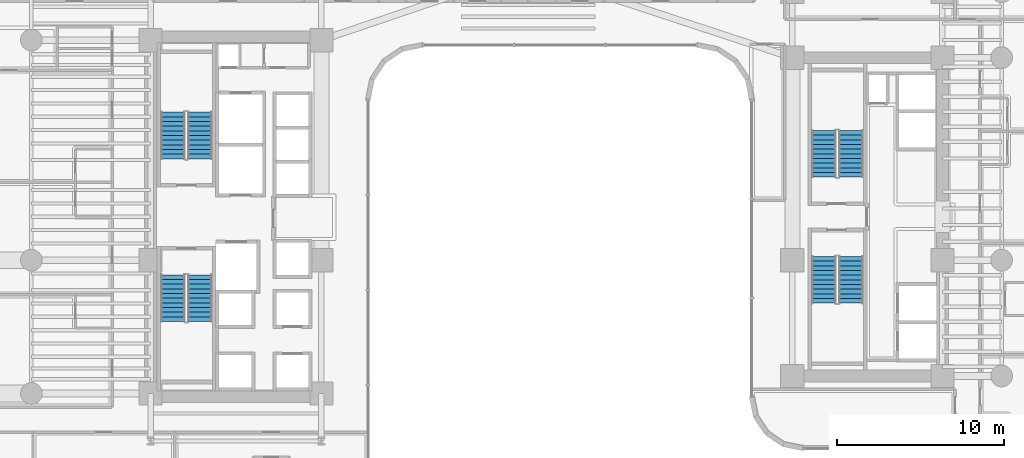
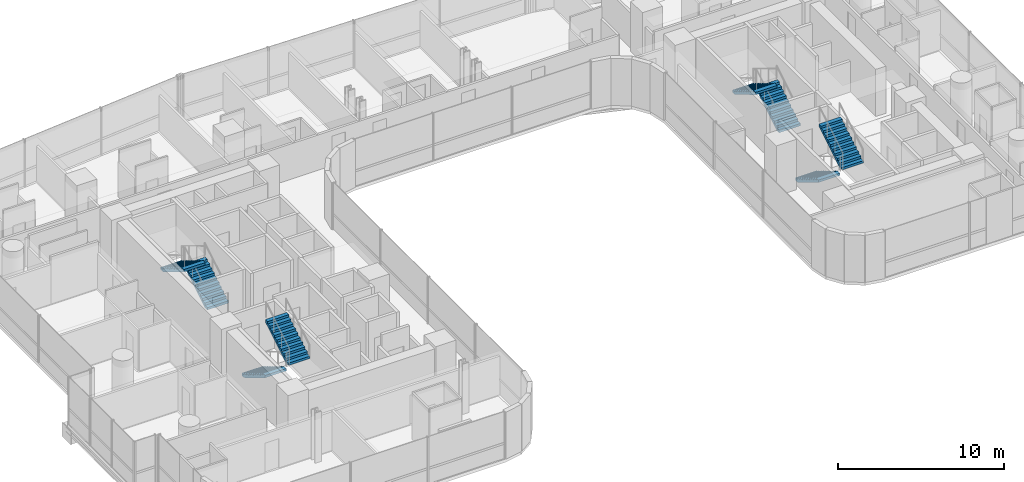
# One storey, part 36 of 42: 8 stair flights, 4 elements without a shape of their own.
"""IFC4 building model written with IfcOpenShell, lengths in metres."""

from ifc_helpers import new_model, si_unit, direction, frame, origin, place, context, subcontext, project, spatial, polyline, outline, extrude, material, type_object, element, aggregate, save


model = new_model("IFC4")

# Units and contexts
model_context = context("Model", 3, precision=1e-05, world=origin(), true_north=direction((0.0, 1.0)))
body_context = subcontext(model_context, "Body", "Model", "MODEL_VIEW")
ifc_project = project(units=[si_unit("LENGTHUNIT", "METRE"), si_unit("AREAUNIT", "SQUARE_METRE"), si_unit("VOLUMEUNIT", "CUBIC_METRE"), si_unit("PLANEANGLEUNIT", "RADIAN"), si_unit("MASSUNIT", "GRAM", prefix="KILO")], contexts=[model_context])

# Site, building, storey
site_placement = place(None, origin())
site = spatial("IfcSite", under=ifc_project, at=site_placement, CompositionType="ELEMENT")
building_placement = place(site_placement, origin())
building = spatial("IfcBuilding", under=site, at=building_placement, Name="Valdorenza Pilgrim Sanctuary Tower", CompositionType="ELEMENT")
storey_placement = place(building_placement, frame((0.0, 0.0, 29.699951171875)))
storey = spatial("IfcBuildingStorey", under=building, at=storey_placement, Name="L06", CompositionType="ELEMENT", Elevation=29.699951171875)

# Stair, stair flights
ifc_material = material(Name="Concrete C40/50", Category="concrete")
stair_type = type_object("IfcStairType", Name="STR-DOG-CORE", PredefinedType="HALF_TURN_STAIR", material=ifc_material)
stair_1_placement = place(storey_placement, origin())
stair_1 = element("IfcStair", 1, at=stair_1_placement, inside=storey, type_object=stair_type, Name="L06 ST-A1", PredefinedType="HALF_TURN_STAIR")
stair_flight_type = type_object("IfcStairFlightType", Name="STF-RC-1400", PredefinedType="STRAIGHT", material=ifc_material)
stair_flight_1_placement = place(storey_placement, frame((-19.679931640625, 3.47998046875, 0.0), z_axis=(0.0, 0.0, 1.0), x_axis=(0.0, 1.0, 0.0)))
stair_flight_1 = element("IfcStairFlight", 2, at=stair_flight_1_placement, type_object=stair_flight_type, Name="ST-A1 flight 1", NumberOfRisers=11, NumberOfTreads=10, PredefinedType="STRAIGHT", RiserHeight=0.168181818, TreadLength=0.28, context=body_context, shape_type="SweptSolid", body=[
    extrude(outline(polyline([(0.0, 0.0), (0.0, 0.168212890625), (0.280029296875, 0.168212890625), (0.280029296875, 0.33642578125), (0.56005859375, 0.33642578125), (0.56005859375, 0.504638671875), (0.840087890625, 0.504638671875), (0.840087890625, 0.672607421875), (1.1201171875, 0.672607421875), (1.1201171875, 0.8408203125), (1.39990234375, 0.8408203125), (1.39990234375, 1.009033203125), (1.679931640625, 1.009033203125), (1.679931640625, 1.17724609375), (1.9599609375, 1.17724609375), (1.9599609375, 1.345458984375), (2.239990234375, 1.345458984375), (2.239990234375, 1.513671875), (2.52001953125, 1.513671875), (2.52001953125, 1.681884765625), (2.800048828125, 1.681884765625), (2.800048828125, 1.85009765625), (2.800048828125, 1.5068359375), (0.291015625, 0.0), (0.0, 0.0)])), frame((0.0, 0.739990234375, 0.0), z_axis=(0.0, -1.0, 0.0), x_axis=(1.0, 0.0, 0.0)), (0.0, 0.0, 1.0), 1.47998046875),
])
stair_flight_2_placement = place(storey_placement, frame((-21.31005859375, 6.280029296875, 1.85009765625), z_axis=(0.0, 0.0, 1.0), x_axis=(0.0, -1.0, 0.0)))
stair_flight_2 = element("IfcStairFlight", 3, at=stair_flight_2_placement, type_object=stair_flight_type, Name="ST-A1 flight 2", NumberOfRisers=11, NumberOfTreads=10, PredefinedType="STRAIGHT", RiserHeight=0.168181818, TreadLength=0.28, context=body_context, shape_type="SweptSolid", body=[
    extrude(outline(polyline([(0.0, 0.0), (0.0, 0.168212890625), (0.280029296875, 0.168212890625), (0.280029296875, 0.33642578125), (0.56005859375, 0.33642578125), (0.56005859375, 0.504638671875), (0.840087890625, 0.504638671875), (0.840087890625, 0.672607421875), (1.1201171875, 0.672607421875), (1.1201171875, 0.8408203125), (1.39990234375, 0.8408203125), (1.39990234375, 1.009033203125), (1.679931640625, 1.009033203125), (1.679931640625, 1.17724609375), (1.9599609375, 1.17724609375), (1.9599609375, 1.345458984375), (2.239990234375, 1.345458984375), (2.239990234375, 1.513671875), (2.52001953125, 1.513671875), (2.52001953125, 1.681884765625), (2.800048828125, 1.681884765625), (2.800048828125, 1.85009765625), (2.800048828125, 1.5068359375), (0.291015625, 0.0), (0.0, 0.0)])), frame((0.0, 0.739990234375, 0.0), z_axis=(0.0, -1.0, 0.0), x_axis=(1.0, 0.0, 0.0)), (0.0, 0.0, 1.0), 1.47998046875),
])
aggregate(stair_1, [stair_flight_1, stair_flight_2])

stair_2_placement = place(storey_placement, origin())
stair_2 = element("IfcStair", 4, at=stair_2_placement, inside=storey, type_object=stair_type, Name="L06 ST-A2", PredefinedType="HALF_TURN_STAIR")
stair_flight_3_placement = place(storey_placement, frame((-21.31005859375, -3.47998046875, 0.0), z_axis=(0.0, 0.0, 1.0), x_axis=(0.0, -1.0, 0.0)))
stair_flight_3 = element("IfcStairFlight", 5, at=stair_flight_3_placement, type_object=stair_flight_type, Name="ST-A2 flight 1", NumberOfRisers=11, NumberOfTreads=10, PredefinedType="STRAIGHT", RiserHeight=0.168181818, TreadLength=0.28, context=body_context, shape_type="SweptSolid", body=[
    extrude(outline(polyline([(0.0, 0.0), (0.0, 0.168212890625), (0.280029296875, 0.168212890625), (0.280029296875, 0.33642578125), (0.56005859375, 0.33642578125), (0.56005859375, 0.504638671875), (0.840087890625, 0.504638671875), (0.840087890625, 0.672607421875), (1.1201171875, 0.672607421875), (1.1201171875, 0.8408203125), (1.39990234375, 0.8408203125), (1.39990234375, 1.009033203125), (1.679931640625, 1.009033203125), (1.679931640625, 1.17724609375), (1.9599609375, 1.17724609375), (1.9599609375, 1.345458984375), (2.239990234375, 1.345458984375), (2.239990234375, 1.513671875), (2.52001953125, 1.513671875), (2.52001953125, 1.681884765625), (2.800048828125, 1.681884765625), (2.800048828125, 1.85009765625), (2.800048828125, 1.5068359375), (0.291015625, 0.0), (0.0, 0.0)])), frame((0.0, 0.739990234375, 0.0), z_axis=(0.0, -1.0, 0.0), x_axis=(1.0, 0.0, 0.0)), (0.0, 0.0, 1.0), 1.47998046875),
])
stair_flight_4_placement = place(storey_placement, frame((-19.679931640625, -6.280029296875, 1.85009765625), z_axis=(0.0, 0.0, 1.0), x_axis=(0.0, 1.0, 0.0)))
stair_flight_4 = element("IfcStairFlight", 6, at=stair_flight_4_placement, type_object=stair_flight_type, Name="ST-A2 flight 2", NumberOfRisers=11, NumberOfTreads=10, PredefinedType="STRAIGHT", RiserHeight=0.168181818, TreadLength=0.28, context=body_context, shape_type="SweptSolid", body=[
    extrude(outline(polyline([(0.0, 0.0), (0.0, 0.168212890625), (0.280029296875, 0.168212890625), (0.280029296875, 0.33642578125), (0.56005859375, 0.33642578125), (0.56005859375, 0.504638671875), (0.840087890625, 0.504638671875), (0.840087890625, 0.672607421875), (1.1201171875, 0.672607421875), (1.1201171875, 0.8408203125), (1.39990234375, 0.8408203125), (1.39990234375, 1.009033203125), (1.679931640625, 1.009033203125), (1.679931640625, 1.17724609375), (1.9599609375, 1.17724609375), (1.9599609375, 1.345458984375), (2.239990234375, 1.345458984375), (2.239990234375, 1.513671875), (2.52001953125, 1.513671875), (2.52001953125, 1.681884765625), (2.800048828125, 1.681884765625), (2.800048828125, 1.85009765625), (2.800048828125, 1.5068359375), (0.291015625, 0.0), (0.0, 0.0)])), frame((0.0, 0.739990234375, 0.0), z_axis=(0.0, -1.0, 0.0), x_axis=(1.0, 0.0, 0.0)), (0.0, 0.0, 1.0), 1.47998046875),
])
aggregate(stair_2, [stair_flight_3, stair_flight_4])

stair_3_placement = place(storey_placement, origin())
stair_3 = element("IfcStair", 7, at=stair_3_placement, inside=storey, type_object=stair_type, Name="L06 ST-B1", PredefinedType="HALF_TURN_STAIR")
stair_flight_5_placement = place(storey_placement, frame((19.3701171875, 2.3798828125, 0.0), z_axis=(0.0, 0.0, 1.0), x_axis=(0.0, 1.0, 0.0)))
stair_flight_5 = element("IfcStairFlight", 8, at=stair_flight_5_placement, type_object=stair_flight_type, Name="ST-B1 flight 1", NumberOfRisers=11, NumberOfTreads=10, PredefinedType="STRAIGHT", RiserHeight=0.168181818, TreadLength=0.28, context=body_context, shape_type="SweptSolid", body=[
    extrude(outline(polyline([(0.0, 0.0), (0.0, 0.168212890625), (0.280029296875, 0.168212890625), (0.280029296875, 0.33642578125), (0.56005859375, 0.33642578125), (0.56005859375, 0.504638671875), (0.840087890625, 0.504638671875), (0.840087890625, 0.672607421875), (1.1201171875, 0.672607421875), (1.1201171875, 0.8408203125), (1.39990234375, 0.8408203125), (1.39990234375, 1.009033203125), (1.679931640625, 1.009033203125), (1.679931640625, 1.17724609375), (1.9599609375, 1.17724609375), (1.9599609375, 1.345458984375), (2.239990234375, 1.345458984375), (2.239990234375, 1.513671875), (2.52001953125, 1.513671875), (2.52001953125, 1.681884765625), (2.800048828125, 1.681884765625), (2.800048828125, 1.85009765625), (2.800048828125, 1.5068359375), (0.291015625, 0.0), (0.0, 0.0)])), frame((0.0, 0.739990234375, 0.0), z_axis=(0.0, -1.0, 0.0), x_axis=(1.0, 0.0, 0.0)), (0.0, 0.0, 1.0), 1.47998046875),
])
stair_flight_6_placement = place(storey_placement, frame((17.739990234375, 5.179931640625, 1.85009765625), z_axis=(0.0, 0.0, 1.0), x_axis=(0.0, -1.0, 0.0)))
stair_flight_6 = element("IfcStairFlight", 9, at=stair_flight_6_placement, type_object=stair_flight_type, Name="ST-B1 flight 2", NumberOfRisers=11, NumberOfTreads=10, PredefinedType="STRAIGHT", RiserHeight=0.168181818, TreadLength=0.28, context=body_context, shape_type="SweptSolid", body=[
    extrude(outline(polyline([(0.0, 0.0), (0.0, 0.168212890625), (0.280029296875, 0.168212890625), (0.280029296875, 0.33642578125), (0.56005859375, 0.33642578125), (0.56005859375, 0.504638671875), (0.840087890625, 0.504638671875), (0.840087890625, 0.672607421875), (1.1201171875, 0.672607421875), (1.1201171875, 0.8408203125), (1.39990234375, 0.8408203125), (1.39990234375, 1.009033203125), (1.679931640625, 1.009033203125), (1.679931640625, 1.17724609375), (1.9599609375, 1.17724609375), (1.9599609375, 1.345458984375), (2.239990234375, 1.345458984375), (2.239990234375, 1.513671875), (2.52001953125, 1.513671875), (2.52001953125, 1.681884765625), (2.800048828125, 1.681884765625), (2.800048828125, 1.85009765625), (2.800048828125, 1.5068359375), (0.291015625, 0.0), (0.0, 0.0)])), frame((0.0, 0.739990234375, 0.0), z_axis=(0.0, -1.0, 0.0), x_axis=(1.0, 0.0, 0.0)), (0.0, 0.0, 1.0), 1.47998046875),
])
aggregate(stair_3, [stair_flight_5, stair_flight_6])

stair_4_placement = place(storey_placement, origin())
stair_4 = element("IfcStair", 10, at=stair_4_placement, inside=storey, type_object=stair_type, Name="L06 ST-B2", PredefinedType="HALF_TURN_STAIR")
stair_flight_7_placement = place(storey_placement, frame((17.739990234375, -2.3798828125, 0.0), z_axis=(0.0, 0.0, 1.0), x_axis=(0.0, -1.0, 0.0)))
stair_flight_7 = element("IfcStairFlight", 11, at=stair_flight_7_placement, type_object=stair_flight_type, Name="ST-B2 flight 1", NumberOfRisers=11, NumberOfTreads=10, PredefinedType="STRAIGHT", RiserHeight=0.168181818, TreadLength=0.28, context=body_context, shape_type="SweptSolid", body=[
    extrude(outline(polyline([(0.0, 0.0), (0.0, 0.168212890625), (0.280029296875, 0.168212890625), (0.280029296875, 0.33642578125), (0.56005859375, 0.33642578125), (0.56005859375, 0.504638671875), (0.840087890625, 0.504638671875), (0.840087890625, 0.672607421875), (1.1201171875, 0.672607421875), (1.1201171875, 0.8408203125), (1.39990234375, 0.8408203125), (1.39990234375, 1.009033203125), (1.679931640625, 1.009033203125), (1.679931640625, 1.17724609375), (1.9599609375, 1.17724609375), (1.9599609375, 1.345458984375), (2.239990234375, 1.345458984375), (2.239990234375, 1.513671875), (2.52001953125, 1.513671875), (2.52001953125, 1.681884765625), (2.800048828125, 1.681884765625), (2.800048828125, 1.85009765625), (2.800048828125, 1.5068359375), (0.291015625, 0.0), (0.0, 0.0)])), frame((0.0, 0.739990234375, 0.0), z_axis=(0.0, -1.0, 0.0), x_axis=(1.0, 0.0, 0.0)), (0.0, 0.0, 1.0), 1.47998046875),
])
stair_flight_8_placement = place(storey_placement, frame((19.3701171875, -5.179931640625, 1.85009765625), z_axis=(0.0, 0.0, 1.0), x_axis=(0.0, 1.0, 0.0)))
stair_flight_8 = element("IfcStairFlight", 12, at=stair_flight_8_placement, type_object=stair_flight_type, Name="ST-B2 flight 2", NumberOfRisers=11, NumberOfTreads=10, PredefinedType="STRAIGHT", RiserHeight=0.168181818, TreadLength=0.28, context=body_context, shape_type="SweptSolid", body=[
    extrude(outline(polyline([(0.0, 0.0), (0.0, 0.168212890625), (0.280029296875, 0.168212890625), (0.280029296875, 0.33642578125), (0.56005859375, 0.33642578125), (0.56005859375, 0.504638671875), (0.840087890625, 0.504638671875), (0.840087890625, 0.672607421875), (1.1201171875, 0.672607421875), (1.1201171875, 0.8408203125), (1.39990234375, 0.8408203125), (1.39990234375, 1.009033203125), (1.679931640625, 1.009033203125), (1.679931640625, 1.17724609375), (1.9599609375, 1.17724609375), (1.9599609375, 1.345458984375), (2.239990234375, 1.345458984375), (2.239990234375, 1.513671875), (2.52001953125, 1.513671875), (2.52001953125, 1.681884765625), (2.800048828125, 1.681884765625), (2.800048828125, 1.85009765625), (2.800048828125, 1.5068359375), (0.291015625, 0.0), (0.0, 0.0)])), frame((0.0, 0.739990234375, 0.0), z_axis=(0.0, -1.0, 0.0), x_axis=(1.0, 0.0, 0.0)), (0.0, 0.0, 1.0), 1.47998046875),
])
aggregate(stair_4, [stair_flight_7, stair_flight_8])

save(model, "model.ifc")
